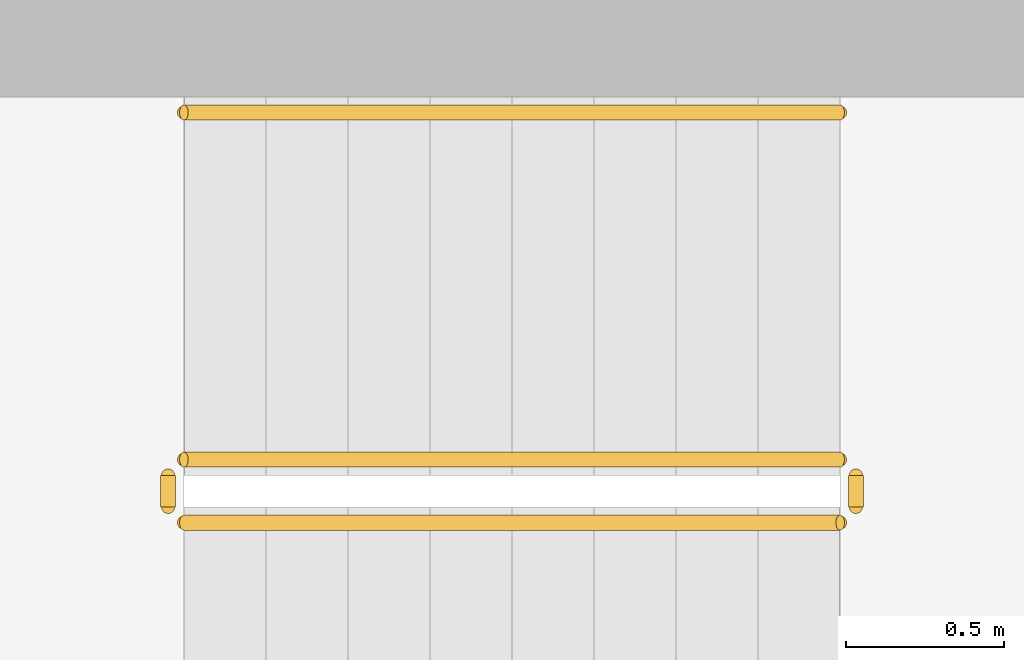
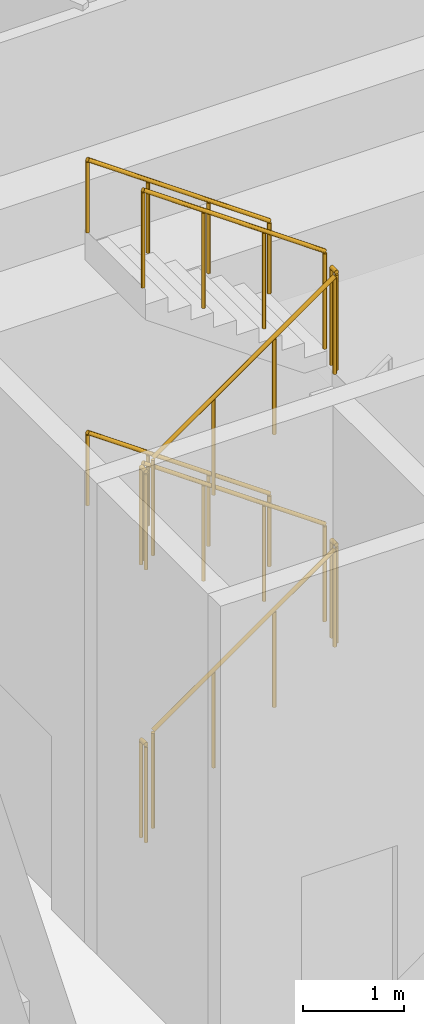
# One storey, part 15 of 18: 10 railings.
"""IFC4 building model written with IfcOpenShell, lengths in metres."""

from ifc_helpers import new_model, si_unit, direction, frame, origin, origin_2d, place, context, subcontext, project, spatial, circle, extrude, material, type_object, element, save


model = new_model("IFC4")

# Units and contexts
model_context = context("Model", 3, precision=1e-05, world=origin(), true_north=direction((0.0, 1.0)))
body_context = subcontext(model_context, "Body", "Model", "MODEL_VIEW")
ifc_project = project(units=[si_unit("LENGTHUNIT", "METRE"), si_unit("AREAUNIT", "SQUARE_METRE"), si_unit("VOLUMEUNIT", "CUBIC_METRE"), si_unit("PLANEANGLEUNIT", "RADIAN"), si_unit("MASSUNIT", "GRAM", prefix="KILO")], contexts=[model_context])

# Site, building, storey
site_placement = place(None, origin())
site = spatial("IfcSite", under=ifc_project, at=site_placement, CompositionType="ELEMENT")
building_placement = place(site_placement, origin())
building = spatial("IfcBuilding", under=site, at=building_placement, Name="Sahrelin Media Tower", CompositionType="ELEMENT")
storey_placement = place(building_placement, frame((0.0, 0.0, 203.0)))
storey = spatial("IfcBuildingStorey", under=building, at=storey_placement, Name="L43", CompositionType="ELEMENT", Elevation=203.0)

# Railings
ifc_material = material(Name="Steel S355", Category="steel")
railing_type_1 = type_object("IfcRailingType", Name="Stair guard 1200", PredefinedType="GUARDRAIL", material=ifc_material)
railing_1_placement = place(storey_placement, frame((-7.675048828125, 5.25, 0.183349609375)))
element("IfcRailing", 1, at=railing_1_placement, inside=storey, type_object=railing_type_1, Name="L43 ST1 stair guard 1", PredefinedType="GUARDRAIL", context=body_context, shape_type="SweptSolid", body=[
    extrude(circle(Radius=0.02392578125, at=origin_2d()), frame((0.0, 0.0, 1.17578125), z_axis=(0.817289409456, 0.0, 0.576227404061), x_axis=(0.0, 1.0, 0.0)), (0.0, 0.0, 1.0), 2.545166015625),
    extrude(circle(Radius=0.02099609375, at=origin_2d()), origin(), (0.0, 0.0, 1.0), 1.15185546875),
    extrude(circle(Radius=0.02099609375, at=origin_2d()), frame((0.693359375, 0.0, 0.48876953125)), (0.0, 0.0, 1.0), 1.15185546875),
    extrude(circle(Radius=0.02099609375, at=origin_2d()), frame((1.38671875, 0.0, 0.977783203125)), (0.0, 0.0, 1.0), 1.15185546875),
    extrude(circle(Radius=0.02099609375, at=origin_2d()), frame((2.080078125, 0.0, 1.466552734375)), (0.0, 0.0, 1.0), 1.15185546875),
])
railing_2_placement = place(storey_placement, frame((-5.544921875, 5.300048828125, 1.64990234375)))
element("IfcRailing", 2, at=railing_2_placement, inside=storey, type_object=railing_type_1, Name="L43 ST1 stair guard 2", PredefinedType="GUARDRAIL", context=body_context, shape_type="SweptSolid", body=[
    extrude(circle(Radius=0.02392578125, at=origin_2d()), frame((0.0, 0.0, 1.17578125), z_axis=(0.0, 1.0, 0.0), x_axis=(-1.0, 0.0, 0.0)), (0.0, 0.0, 1.0), 0.099853515625),
    extrude(circle(Radius=0.02099609375, at=origin_2d()), origin(), (0.0, 0.0, 1.0), 1.15185546875),
    extrude(circle(Radius=0.02099609375, at=origin_2d()), frame((0.0, 0.099853515625, 0.0)), (0.0, 0.0, 1.0), 1.15185546875),
])
railing_3_placement = place(storey_placement, frame((-5.594970703125, 5.449951171875, 1.833251953125)))
element("IfcRailing", 3, at=railing_3_placement, inside=storey, type_object=railing_type_1, Name="L43 ST1 stair guard 3", PredefinedType="GUARDRAIL", context=body_context, shape_type="SweptSolid", body=[
    extrude(circle(Radius=0.02392578125, at=origin_2d()), frame((0.0, 0.0, 1.17578125), z_axis=(-0.81724423362, 0.0, 0.576291473661), x_axis=(0.0, -1.0, 0.0)), (0.0, 0.0, 1.0), 2.545166015625),
    extrude(circle(Radius=0.02099609375, at=origin_2d()), origin(), (0.0, 0.0, 1.0), 1.15185546875),
    extrude(circle(Radius=0.02099609375, at=origin_2d()), frame((-0.693359375, 0.0, 0.489013671875)), (0.0, 0.0, 1.0), 1.15185546875),
    extrude(circle(Radius=0.02099609375, at=origin_2d()), frame((-1.38671875, 0.0, 0.977783203125)), (0.0, 0.0, 1.0), 1.15185546875),
    extrude(circle(Radius=0.02099609375, at=origin_2d()), frame((-2.080078125, 0.0, 1.466796875)), (0.0, 0.0, 1.0), 1.15185546875),
])
railing_4_placement = place(storey_placement, frame((-7.72509765625, 5.300048828125, 3.300048828125)))
element("IfcRailing", 4, at=railing_4_placement, inside=storey, type_object=railing_type_1, Name="L43 ST1 stair guard 4", PredefinedType="GUARDRAIL", context=body_context, shape_type="SweptSolid", body=[
    extrude(circle(Radius=0.02392578125, at=origin_2d()), frame((0.0, 0.0, 1.17578125), z_axis=(0.0, 1.0, 0.0), x_axis=(-1.0, 0.0, 0.0)), (0.0, 0.0, 1.0), 0.099853515625),
    extrude(circle(Radius=0.02099609375, at=origin_2d()), origin(), (0.0, 0.0, 1.0), 1.15185546875),
    extrude(circle(Radius=0.02099609375, at=origin_2d()), frame((0.0, 0.099853515625, 0.0)), (0.0, 0.0, 1.0), 1.15185546875),
])
railing_5_placement = place(storey_placement, frame((-7.675048828125, 5.25, 3.4833984375)))
element("IfcRailing", 5, at=railing_5_placement, inside=storey, type_object=railing_type_1, Name="L43 ST1 stair guard 5", PredefinedType="GUARDRAIL", context=body_context, shape_type="SweptSolid", body=[
    extrude(circle(Radius=0.02392578125, at=origin_2d()), frame((0.0, 0.0, 1.17578125), z_axis=(0.817289409456, 0.0, 0.576227404061), x_axis=(0.0, 1.0, 0.0)), (0.0, 0.0, 1.0), 2.545166015625),
    extrude(circle(Radius=0.02099609375, at=origin_2d()), origin(), (0.0, 0.0, 1.0), 1.15185546875),
    extrude(circle(Radius=0.02099609375, at=origin_2d()), frame((0.693359375, 0.0, 0.48876953125)), (0.0, 0.0, 1.0), 1.15185546875),
    extrude(circle(Radius=0.02099609375, at=origin_2d()), frame((1.38671875, 0.0, 0.977783203125)), (0.0, 0.0, 1.0), 1.15185546875),
    extrude(circle(Radius=0.02099609375, at=origin_2d()), frame((2.080078125, 0.0, 1.466552734375)), (0.0, 0.0, 1.0), 1.15185546875),
])
railing_6_placement = place(storey_placement, frame((-5.544921875, 5.300048828125, 4.949951171875)))
element("IfcRailing", 6, at=railing_6_placement, inside=storey, type_object=railing_type_1, Name="L43 ST1 stair guard 6", PredefinedType="GUARDRAIL", context=body_context, shape_type="SweptSolid", body=[
    extrude(circle(Radius=0.02392578125, at=origin_2d()), frame((0.0, 0.0, 1.17578125), z_axis=(0.0, 1.0, 0.0), x_axis=(-1.0, 0.0, 0.0)), (0.0, 0.0, 1.0), 0.099853515625),
    extrude(circle(Radius=0.02099609375, at=origin_2d()), origin(), (0.0, 0.0, 1.0), 1.15185546875),
    extrude(circle(Radius=0.02099609375, at=origin_2d()), frame((0.0, 0.099853515625, 0.0)), (0.0, 0.0, 1.0), 1.15185546875),
])
railing_7_placement = place(storey_placement, frame((-5.594970703125, 5.449951171875, 5.13330078125)))
element("IfcRailing", 7, at=railing_7_placement, inside=storey, type_object=railing_type_1, Name="L43 ST1 stair guard 7", PredefinedType="GUARDRAIL", context=body_context, shape_type="SweptSolid", body=[
    extrude(circle(Radius=0.02392578125, at=origin_2d()), frame((0.0, 0.0, 1.17578125), z_axis=(-0.81724423362, 0.0, 0.576291473661), x_axis=(0.0, -1.0, 0.0)), (0.0, 0.0, 1.0), 2.545166015625),
    extrude(circle(Radius=0.02099609375, at=origin_2d()), origin(), (0.0, 0.0, 1.0), 1.15185546875),
    extrude(circle(Radius=0.02099609375, at=origin_2d()), frame((-0.693359375, 0.0, 0.489013671875)), (0.0, 0.0, 1.0), 1.15185546875),
    extrude(circle(Radius=0.02099609375, at=origin_2d()), frame((-1.38671875, 0.0, 0.977783203125)), (0.0, 0.0, 1.0), 1.15185546875),
    extrude(circle(Radius=0.02099609375, at=origin_2d()), frame((-2.080078125, 0.0, 1.466796875)), (0.0, 0.0, 1.0), 1.15185546875),
])
railing_8_placement = place(storey_placement, frame((-7.72509765625, 5.300048828125, 0.0)))
element("IfcRailing", 8, at=railing_8_placement, inside=storey, type_object=railing_type_1, Name="L43 ST1 stair guard 8", PredefinedType="GUARDRAIL", context=body_context, shape_type="SweptSolid", body=[
    extrude(circle(Radius=0.02392578125, at=origin_2d()), frame((0.0, 0.0, 1.17578125), z_axis=(0.0, 1.0, 0.0), x_axis=(-1.0, 0.0, 0.0)), (0.0, 0.0, 1.0), 0.099853515625),
    extrude(circle(Radius=0.02099609375, at=origin_2d()), origin(), (0.0, 0.0, 1.0), 1.15185546875),
    extrude(circle(Radius=0.02099609375, at=origin_2d()), frame((0.0, 0.099853515625, 0.0)), (0.0, 0.0, 1.0), 1.15185546875),
])
railing_type_2 = type_object("IfcRailingType", Name="Stair handrail 900", PredefinedType="HANDRAIL", material=ifc_material)
for number, where, name in (
    (9, (-5.594970703125, 6.550048828125, 1.833251953125), "L43 ST1 stair handrail 2"),
    (10, (-5.594970703125, 6.550048828125, 5.13330078125), "L43 ST1 stair handrail 4"),
):
    element("IfcRailing", number, at=place(storey_placement, frame(where)), inside=storey, type_object=railing_type_2, Name=name, PredefinedType="HANDRAIL", context=body_context, shape_type="SweptSolid", body=[
        extrude(circle(Radius=0.02392578125, at=origin_2d()), frame((0.0, 0.0, 0.8759765625), z_axis=(-0.81724423362, 0.0, 0.576291473661), x_axis=(0.0, -1.0, 0.0)), (0.0, 0.0, 1.0), 2.545166015625),
        extrude(circle(Radius=0.02099609375, at=origin_2d()), origin(), (0.0, 0.0, 1.0), 0.851806640625),
        extrude(circle(Radius=0.02099609375, at=origin_2d()), frame((-0.693359375, 0.0, 0.489013671875)), (0.0, 0.0, 1.0), 0.851806640625),
        extrude(circle(Radius=0.02099609375, at=origin_2d()), frame((-1.38671875, 0.0, 0.977783203125)), (0.0, 0.0, 1.0), 0.851806640625),
        extrude(circle(Radius=0.02099609375, at=origin_2d()), frame((-2.080078125, 0.0, 1.466796875)), (0.0, 0.0, 1.0), 0.851806640625),
    ])

save(model, "model.ifc")
